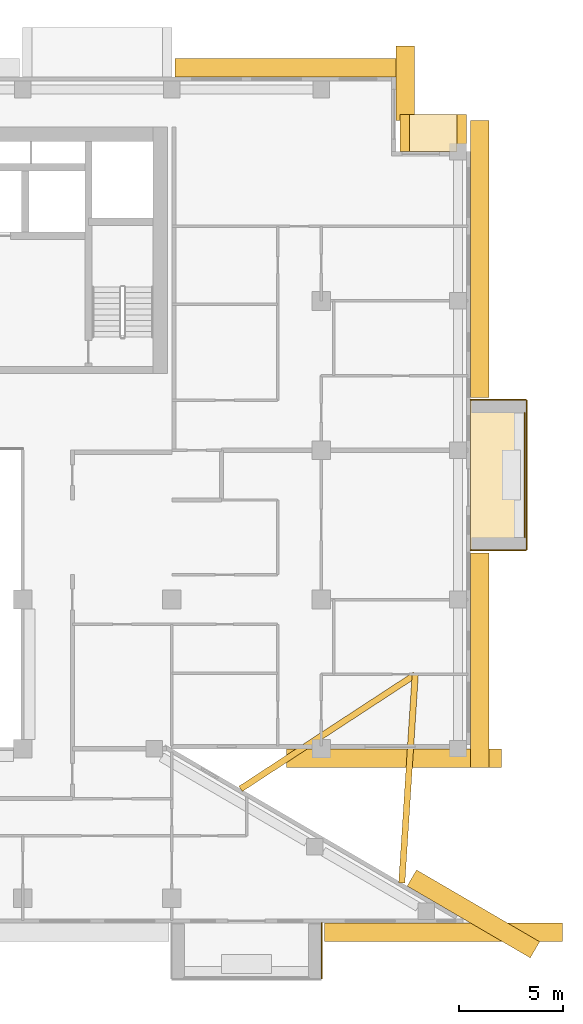
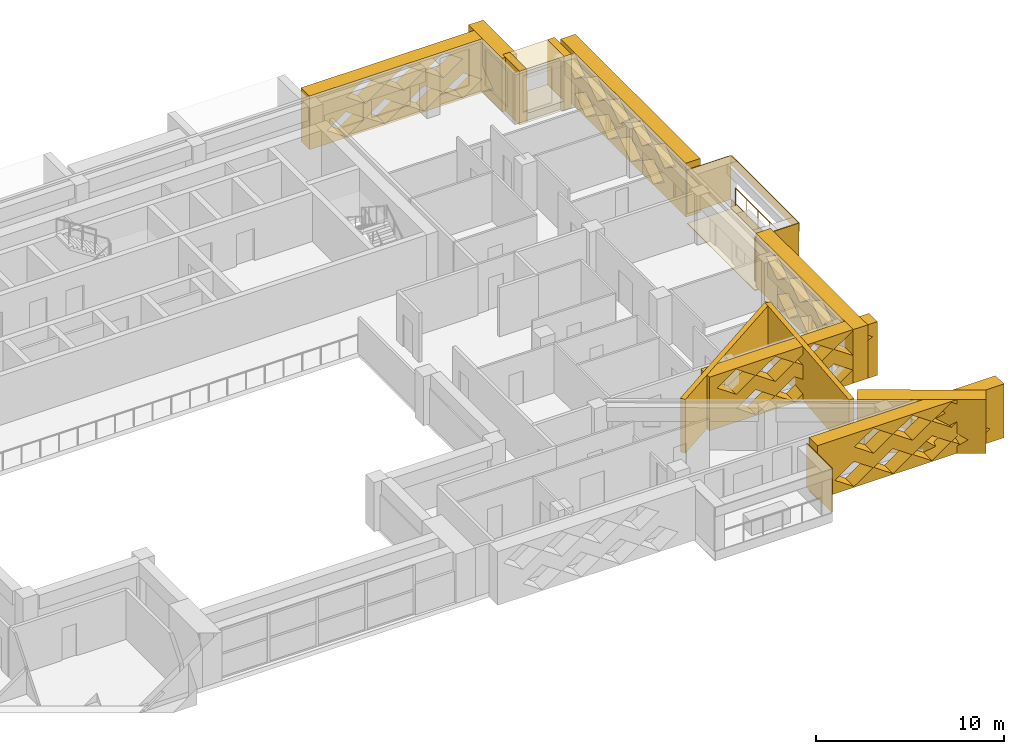
# One storey, part 20 of 20: 19 coverings, 1 railing.
"""IFC4 building model written with IfcOpenShell, lengths in metres."""

from ifc_helpers import new_model, si_unit, direction, frame, origin, origin_2d, place, context, subcontext, project, spatial, polyline, circle, outline, extrude, material, layer, layer_set, type_object, element, save


model = new_model("IFC4")

# Units and contexts
model_context = context("Model", 3, precision=1e-05, world=origin(), true_north=direction((0.0, 1.0)))
body_context = subcontext(model_context, "Body", "Model", "MODEL_VIEW")
ifc_project = project(units=[si_unit("LENGTHUNIT", "METRE"), si_unit("AREAUNIT", "SQUARE_METRE"), si_unit("VOLUMEUNIT", "CUBIC_METRE"), si_unit("PLANEANGLEUNIT", "RADIAN"), si_unit("MASSUNIT", "GRAM", prefix="KILO")], contexts=[model_context])

# Site, building, storey
site_placement = place(None, origin())
site = spatial("IfcSite", under=ifc_project, at=site_placement, CompositionType="ELEMENT")
building_placement = place(site_placement, origin())
building = spatial("IfcBuilding", under=site, at=building_placement, Name="Saffron Iwan Residences", CompositionType="ELEMENT")
storey_placement = place(building_placement, frame((0.0, 0.0, 199.0)))
storey = spatial("IfcBuildingStorey", under=building, at=storey_placement, Name="L53", CompositionType="ELEMENT", Elevation=199.0)

# Railing
ifc_material_1 = material(Name="Stainless steel 316", Category="steel")
railing_type = type_object("IfcRailingType", Name="BALCONY GUARD 1150", PredefinedType="GUARDRAIL", material=ifc_material_1)
railing_placement = place(storey_placement, frame((89.02490234375, 58.199951171875, 0.0)))
element("IfcRailing", 1, at=railing_placement, inside=storey, type_object=railing_type, Name="Balcony guard L53 F2-0", PredefinedType="GUARDRAIL", context=body_context, shape_type="SweptSolid", body=[
    extrude(circle(Radius=0.02392578125, at=origin_2d()), frame((0.0, 0.0, 1.1259765625), z_axis=(0.0, 1.0, 0.0), x_axis=(-1.0, 0.0, 0.0)), (0.0, 0.0, 1.0), 6.0),
    extrude(circle(Radius=0.02099609375, at=origin_2d()), origin(), (0.0, 0.0, 1.0), 1.101806640625),
    extrude(circle(Radius=0.02099609375, at=origin_2d()), frame((0.0, 1.199951171875, 0.0)), (0.0, 0.0, 1.0), 1.101806640625),
    extrude(circle(Radius=0.02099609375, at=origin_2d()), frame((0.0, 2.39990234375, 0.0)), (0.0, 0.0, 1.0), 1.101806640625),
    extrude(circle(Radius=0.02099609375, at=origin_2d()), frame((0.0, 3.60009765625, 0.0)), (0.0, 0.0, 1.0), 1.101806640625),
    extrude(circle(Radius=0.02099609375, at=origin_2d()), frame((0.0, 4.800048828125, 0.0)), (0.0, 0.0, 1.0), 1.101806640625),
    extrude(circle(Radius=0.02099609375, at=origin_2d()), frame((0.0, 6.0, 0.0)), (0.0, 0.0, 1.0), 1.101806640625),
])

# Coverings
ifc_material_2 = material(Name="Precast concrete C40/50 white painted", Category="concrete")
ifc_layer_1 = layer(ifc_material_2, 0.050048828125)
ifc_layer_set_1 = layer_set([ifc_layer_1], Name="Precast concrete C40/50 white painted")
covering_type_1 = type_object("IfcCoveringType", Name="FRAME SKIN PRECAST WHITE 50", PredefinedType="CLADDING", material=ifc_layer_set_1)
for number, where, name in (
    (2, (0.0, 0.0, -0.60009765625), "Frame skin slab edge L53 F2-0"),
    (3, (0.0, 0.0, 2.25), "Frame skin fascia L53 F2-0"),
):
    element("IfcCovering", number, at=place(storey_placement, frame(where)), inside=storey, type_object=covering_type_1, Name=name, PredefinedType="CLADDING", context=body_context, shape_type="SweptSolid", body=[
        extrude(outline(polyline([(89.14990234375, 57.60009765625), (89.14990234375, 64.800048828125), (89.10009765625, 64.800048828125), (89.10009765625, 57.60009765625), (89.14990234375, 57.60009765625)])), origin(), (0.0, 0.0, 1.0), 0.60009765625),
    ])
covering_1_placement = place(storey_placement, frame((0.0, 0.0, -0.64990234375)))
element("IfcCovering", 4, at=covering_1_placement, inside=storey, type_object=covering_type_1, Name="Frame skin soffit L53 F2-0", PredefinedType="CLADDING", context=body_context, shape_type="SweptSolid", body=[
    extrude(outline(polyline([(89.10009765625, 57.60009765625), (89.10009765625, 64.800048828125), (86.39990234375, 64.800048828125), (86.39990234375, 57.60009765625), (89.10009765625, 57.60009765625)])), origin(), (0.0, 0.0, 1.0), 0.0498046875),
])
covering_2_placement = place(storey_placement, origin())
element("IfcCovering", 5, at=covering_2_placement, inside=storey, type_object=covering_type_1, Name="Frame skin fin L53 F2-0a", PredefinedType="CLADDING", context=body_context, shape_type="SweptSolid", body=[
    extrude(outline(polyline([(89.10009765625, 57.550048828125), (89.10009765625, 57.60009765625), (86.39990234375, 57.60009765625), (86.39990234375, 57.550048828125), (89.10009765625, 57.550048828125)])), origin(), (0.0, 0.0, 1.0), 2.85009765625),
])
covering_3_placement = place(storey_placement, origin())
element("IfcCovering", 6, at=covering_3_placement, inside=storey, type_object=covering_type_1, Name="Frame skin fin L53 F2-0b", PredefinedType="CLADDING", context=body_context, shape_type="SweptSolid", body=[
    extrude(outline(polyline([(89.10009765625, 64.800048828125), (89.10009765625, 64.85009765625), (86.39990234375, 64.85009765625), (86.39990234375, 64.800048828125), (89.10009765625, 64.800048828125)])), origin(), (0.0, 0.0, 1.0), 2.85009765625),
])
covering_4_placement = place(storey_placement, origin())
element("IfcCovering", 7, at=covering_4_placement, inside=storey, type_object=covering_type_1, Name="Frame skin fin L53 11-1b", PredefinedType="CLADDING", context=body_context, shape_type="SweptSolid", body=[
    extrude(outline(polyline([(79.199951171875, 36.89990234375), (79.25, 36.89990234375), (79.25, 39.60009765625), (79.199951171875, 39.60009765625), (79.199951171875, 36.89990234375)])), origin(), (0.0, 0.0, 1.0), 2.85009765625),
])
ifc_material_3 = material(Name="Precast concrete C40/50", Category="concrete")
covering_type_2 = type_object("IfcCoveringType", Name="OUTER SKIN LATTICE SCREEN", PredefinedType="CLADDING", material=ifc_material_3)
covering_5_placement = place(storey_placement, frame((89.283935546875, 37.917724609375, -0.300048828125), z_axis=(0.503803550485, 0.863818257806, 0.0), x_axis=(-0.863818257806, 0.503803550485, 0.0)))
element("IfcCovering", 8, at=covering_5_placement, inside=storey, type_object=covering_type_2, Name="OUTER SKIN lattice screen L53 F0.0", PredefinedType="CLADDING", context=body_context, shape_type="SweptSolid", body=[
    extrude(outline(polyline([(0.0, 0.0), (6.874267578125, 0.0), (6.874267578125, 3.5), (0.0, 3.5), (0.0, 0.0)]), holes=[polyline([(0.958740234375, 0.875), (2.138671875, 0.06005859375), (3.318603515625, 0.875), (2.138671875, 1.68994140625), (0.958740234375, 0.875)]), polyline([(3.358642578125, 0.875), (4.538818359375, 0.06005859375), (5.71875, 0.875), (4.538818359375, 1.68994140625), (3.358642578125, 0.875)]), polyline([(2.15869140625, 2.625), (3.338623046875, 1.81005859375), (4.518798828125, 2.625), (3.338623046875, 3.43994140625), (2.15869140625, 2.625)])]), origin(), (0.0, 0.0, 1.0), 0.89990234375),
])
covering_6_placement = place(storey_placement, frame((77.538818359375, 48.0, -0.300048828125), z_axis=(0.0, -1.0, 0.0), x_axis=(1.0, 0.0, 0.0)))
element("IfcCovering", 9, at=covering_6_placement, inside=storey, type_object=covering_type_2, Name="OUTER SKIN lattice screen L53 F1.0", PredefinedType="CLADDING", context=body_context, shape_type="SweptSolid", body=[
    extrude(outline(polyline([(0.0, 0.0), (10.361328125, 0.0), (10.361328125, 3.5), (0.0, 3.5), (0.0, 0.0)]), holes=[polyline([(1.681396484375, 0.875), (2.861328125, 0.06005859375), (4.041259765625, 0.875), (2.861328125, 1.68994140625), (1.681396484375, 0.875)]), polyline([(4.081298828125, 0.875), (5.26123046875, 0.06005859375), (6.44140625, 0.875), (5.26123046875, 1.68994140625), (4.081298828125, 0.875)]), polyline([(6.481201171875, 0.875), (7.661376953125, 0.06005859375), (8.84130859375, 0.875), (7.661376953125, 1.68994140625), (6.481201171875, 0.875)]), polyline([(0.481201171875, 2.625), (1.661376953125, 1.81005859375), (2.84130859375, 2.625), (1.661376953125, 3.43994140625), (0.481201171875, 2.625)]), polyline([(2.88134765625, 2.625), (4.061279296875, 1.81005859375), (5.2412109375, 2.625), (4.061279296875, 3.43994140625), (2.88134765625, 2.625)]), polyline([(5.28125, 2.625), (6.461181640625, 1.81005859375), (7.641357421875, 2.625), (6.461181640625, 3.43994140625), (5.28125, 2.625)]), polyline([(7.681396484375, 2.625), (8.861328125, 1.81005859375), (10.041259765625, 2.625), (8.861328125, 3.43994140625), (7.681396484375, 2.625)])]), origin(), (0.0, 0.0, 1.0), 0.89990234375),
])
covering_7_placement = place(storey_placement, frame((86.39990234375, 47.10009765625, -0.300048828125), z_axis=(1.0, 0.0, 0.0), x_axis=(0.0, 1.0, 0.0)))
element("IfcCovering", 10, at=covering_7_placement, inside=storey, type_object=covering_type_2, Name="OUTER SKIN lattice screen L53 F2.0", PredefinedType="CLADDING", context=body_context, shape_type="SweptSolid", body=[
    extrude(outline(polyline([(0.0, 0.0), (10.35009765625, 0.0), (10.35009765625, 3.5), (0.0, 3.5), (0.0, 0.0)]), holes=[polyline([(0.919921875, 0.875), (2.10009765625, 0.06005859375), (3.280029296875, 0.875), (2.10009765625, 1.68994140625), (0.919921875, 0.875)]), polyline([(3.320068359375, 0.875), (4.5, 0.06005859375), (5.679931640625, 0.875), (4.5, 1.68994140625), (3.320068359375, 0.875)]), polyline([(5.719970703125, 0.875), (6.89990234375, 0.06005859375), (8.080078125, 0.875), (6.89990234375, 1.68994140625), (5.719970703125, 0.875)]), polyline([(2.1201171875, 2.625), (3.300048828125, 1.81005859375), (4.47998046875, 2.625), (3.300048828125, 3.43994140625), (2.1201171875, 2.625)]), polyline([(4.52001953125, 2.625), (5.699951171875, 1.81005859375), (6.8798828125, 2.625), (5.699951171875, 3.43994140625), (4.52001953125, 2.625)]), polyline([(6.919921875, 2.625), (8.10009765625, 1.81005859375), (9.280029296875, 2.625), (8.10009765625, 3.43994140625), (6.919921875, 2.625)])]), origin(), (0.0, 0.0, 1.0), 0.900146484375),
])
covering_8_placement = place(storey_placement, frame((86.39990234375, 64.949951171875, -0.300048828125), z_axis=(1.0, 0.0, 0.0), x_axis=(0.0, 1.0, 0.0)))
element("IfcCovering", 11, at=covering_8_placement, inside=storey, type_object=covering_type_2, Name="OUTER SKIN lattice screen L53 F2.1", PredefinedType="CLADDING", context=body_context, shape_type="SweptSolid", body=[
    extrude(outline(polyline([(0.0, 0.0), (13.35009765625, 0.0), (13.35009765625, 3.5), (0.0, 3.5), (0.0, 0.0)]), holes=[polyline([(2.27001953125, 0.875), (3.449951171875, 0.06005859375), (4.6298828125, 0.875), (3.449951171875, 1.68994140625), (2.27001953125, 0.875)]), polyline([(4.669921875, 0.875), (5.85009765625, 0.06005859375), (7.030029296875, 0.875), (5.85009765625, 1.68994140625), (4.669921875, 0.875)]), polyline([(7.070068359375, 0.875), (8.25, 0.06005859375), (9.429931640625, 0.875), (8.25, 1.68994140625), (7.070068359375, 0.875)]), polyline([(9.469970703125, 0.875), (10.64990234375, 0.06005859375), (11.830078125, 0.875), (10.64990234375, 1.68994140625), (9.469970703125, 0.875)]), polyline([(1.070068359375, 2.625), (2.25, 1.81005859375), (3.429931640625, 2.625), (2.25, 3.43994140625), (1.070068359375, 2.625)]), polyline([(3.469970703125, 2.625), (4.64990234375, 1.81005859375), (5.830078125, 2.625), (4.64990234375, 3.43994140625), (3.469970703125, 2.625)]), polyline([(5.8701171875, 2.625), (7.050048828125, 1.81005859375), (8.22998046875, 2.625), (7.050048828125, 3.43994140625), (5.8701171875, 2.625)]), polyline([(8.27001953125, 2.625), (9.449951171875, 1.81005859375), (10.6298828125, 2.625), (9.449951171875, 3.43994140625), (8.27001953125, 2.625)]), polyline([(10.669921875, 2.625), (11.85009765625, 1.81005859375), (13.030029296875, 2.625), (11.85009765625, 3.43994140625), (10.669921875, 2.625)])]), origin(), (0.0, 0.0, 1.0), 0.900146484375),
])
covering_9_placement = place(storey_placement, frame((82.800048828125, 78.300048828125, -0.300048828125), z_axis=(1.0, 0.0, 0.0), x_axis=(0.0, 1.0, 0.0)))
element("IfcCovering", 12, at=covering_9_placement, inside=storey, type_object=covering_type_2, Name="OUTER SKIN lattice screen L53 F4.0", PredefinedType="CLADDING", context=body_context, shape_type="SweptSolid", body=[
    extrude(outline(polyline([(0.0, 0.0), (3.60009765625, 0.0), (3.60009765625, 3.5), (0.0, 3.5), (0.0, 0.0)]), holes=[polyline([(0.919921875, 0.875), (2.10009765625, 0.06005859375), (3.280029296875, 0.875), (2.10009765625, 1.68994140625), (0.919921875, 0.875)])]), origin(), (0.0, 0.0, 1.0), 0.89990234375),
])
covering_10_placement = place(storey_placement, frame((83.699951171875, 80.39990234375, -0.300048828125), z_axis=(0.0, 1.0, 0.0), x_axis=(-1.0, 0.0, 0.0)))
element("IfcCovering", 13, at=covering_10_placement, inside=storey, type_object=covering_type_2, Name="OUTER SKIN lattice screen L53 F5.0", PredefinedType="CLADDING", context=body_context, shape_type="SweptSolid", body=[
    extrude(outline(polyline([(0.0, 0.0), (11.550048828125, 0.0), (11.550048828125, 3.5), (0.0, 3.5), (0.0, 0.0)]), holes=[polyline([(0.919921875, 0.875), (2.10009765625, 0.06005859375), (3.280029296875, 0.875), (2.10009765625, 1.68994140625), (0.919921875, 0.875)]), polyline([(3.320068359375, 0.875), (4.5, 0.06005859375), (5.679931640625, 0.875), (4.5, 1.68994140625), (3.320068359375, 0.875)]), polyline([(5.719970703125, 0.875), (6.89990234375, 0.06005859375), (8.080078125, 0.875), (6.89990234375, 1.68994140625), (5.719970703125, 0.875)]), polyline([(8.1201171875, 0.875), (9.300048828125, 0.06005859375), (10.47998046875, 0.875), (9.300048828125, 1.68994140625), (8.1201171875, 0.875)]), polyline([(2.1201171875, 2.625), (3.300048828125, 1.81005859375), (4.47998046875, 2.625), (3.300048828125, 3.43994140625), (2.1201171875, 2.625)]), polyline([(4.52001953125, 2.625), (5.699951171875, 1.81005859375), (6.8798828125, 2.625), (5.699951171875, 3.43994140625), (4.52001953125, 2.625)]), polyline([(6.919921875, 2.625), (8.10009765625, 1.81005859375), (9.280029296875, 2.625), (8.10009765625, 3.43994140625), (6.919921875, 2.625)])]), origin(), (0.0, 0.0, 1.0), 0.900146484375),
])
covering_11_placement = place(storey_placement, frame((79.35009765625, 39.60009765625, -0.300048828125), z_axis=(0.0, -1.0, 0.0), x_axis=(1.0, 0.0, 0.0)))
element("IfcCovering", 14, at=covering_11_placement, inside=storey, type_object=covering_type_2, Name="OUTER SKIN lattice screen L53 F11.3", PredefinedType="CLADDING", context=body_context, shape_type="SweptSolid", body=[
    extrude(outline(polyline([(0.0, 0.0), (11.48876953125, 0.0), (11.48876953125, 3.5), (0.0, 3.5), (0.0, 0.0)]), holes=[polyline([(1.070068359375, 0.875), (2.25, 0.06005859375), (3.429931640625, 0.875), (2.25, 1.68994140625), (1.070068359375, 0.875)]), polyline([(3.469970703125, 0.875), (4.64990234375, 0.06005859375), (5.830078125, 0.875), (4.64990234375, 1.68994140625), (3.469970703125, 0.875)]), polyline([(5.8701171875, 0.875), (7.050048828125, 0.06005859375), (8.22998046875, 0.875), (7.050048828125, 1.68994140625), (5.8701171875, 0.875)]), polyline([(8.27001953125, 0.875), (9.449951171875, 0.06005859375), (10.6298828125, 0.875), (9.449951171875, 1.68994140625), (8.27001953125, 0.875)]), polyline([(2.27001953125, 2.625), (3.449951171875, 1.81005859375), (4.6298828125, 2.625), (3.449951171875, 3.43994140625), (2.27001953125, 2.625)]), polyline([(4.669921875, 2.625), (5.85009765625, 1.81005859375), (7.030029296875, 2.625), (5.85009765625, 3.43994140625), (4.669921875, 2.625)]), polyline([(7.070068359375, 2.625), (8.25, 1.81005859375), (9.429931640625, 2.625), (8.25, 3.43994140625), (7.070068359375, 2.625)])]), origin(), (0.0, 0.0, 1.0), 0.900146484375),
])
ifc_layer_2 = layer(ifc_material_2, 0.300048828125)
ifc_layer_set_2 = layer_set([ifc_layer_2], Name="Precast concrete C40/50 white painted")
covering_type_3 = type_object("IfcCoveringType", Name="PROW NOSE BLADE PRECAST WHITE", PredefinedType="CLADDING", material=ifc_layer_set_2)
covering_12_placement = place(storey_placement, frame((0.0, 0.0, -0.300048828125)))
element("IfcCovering", 15, at=covering_12_placement, inside=storey, type_object=covering_type_3, Name="Prow nose blade L53 a", PredefinedType="CLADDING", context=body_context, shape_type="SweptSolid", body=[
    extrude(outline(polyline([(83.23681640625, 41.52294921875), (83.884521484375, 51.564453125), (83.585205078125, 51.583740234375), (82.937255859375, 41.542236328125), (83.23681640625, 41.52294921875)])), origin(), (0.0, 0.0, 1.0), 3.5),
])
covering_13_placement = place(storey_placement, frame((0.0, 0.0, -0.300048828125)))
element("IfcCovering", 16, at=covering_13_placement, inside=storey, type_object=covering_type_3, Name="Prow nose blade L53 b", PredefinedType="CLADDING", context=body_context, shape_type="SweptSolid", body=[
    extrude(outline(polyline([(75.39501953125, 45.94189453125), (83.81689453125, 51.448486328125), (83.65283203125, 51.69970703125), (75.23095703125, 46.193115234375), (75.39501953125, 45.94189453125)])), origin(), (0.0, 0.0, 1.0), 3.5),
])
covering_type_4 = type_object("IfcCoveringType", Name="WHITE SUN FRAME PRECAST", PredefinedType="CLADDING", material=ifc_material_2)
for number, where, z_axis, x_axis, name in (
    (17, (86.199951171875, 76.800048828125, -0.300048828125), (0.0, 1.0, 0.0), (-1.0, 0.0, 0.0), "Sun frame L53 F3 0.2a"),
    (18, (83.449951171875, 76.800048828125, -0.300048828125), (0.0, 1.0, 0.0), (-1.0, 0.0, 0.0), "Sun frame L53 F3 0.2b"),
):
    element("IfcCovering", number, at=place(storey_placement, frame(where, z_axis=z_axis, x_axis=x_axis)), inside=storey, type_object=covering_type_4, Name=name, PredefinedType="CLADDING", context=body_context, shape_type="SweptSolid", body=[
        extrude(outline(polyline([(0.0, 0.0), (0.449951171875, 0.0), (0.449951171875, 3.5), (0.0, 3.5), (0.0, 0.0)])), origin(), (0.0, 0.0, 1.0), 1.800048828125),
    ])
for number, where, z_axis, x_axis, name in (
    (19, (85.75, 76.800048828125, 2.60009765625), (0.0, 1.0, 0.0), (-1.0, 0.0, 0.0), "Sun frame L53 F3 0.2h"),
    (20, (85.75, 76.800048828125, -0.300048828125), (0.0, 1.0, 0.0), (-1.0, 0.0, 0.0), "Sun frame L53 F3 0.2s"),
):
    element("IfcCovering", number, at=place(storey_placement, frame(where, z_axis=z_axis, x_axis=x_axis)), inside=storey, type_object=covering_type_4, Name=name, PredefinedType="CLADDING", context=body_context, shape_type="SweptSolid", body=[
        extrude(outline(polyline([(0.0, 0.0), (2.300048828125, 0.0), (2.300048828125, 0.60009765625), (0.0, 0.60009765625), (0.0, 0.0)])), origin(), (0.0, 0.0, 1.0), 1.800048828125),
    ])

save(model, "model.ifc")
